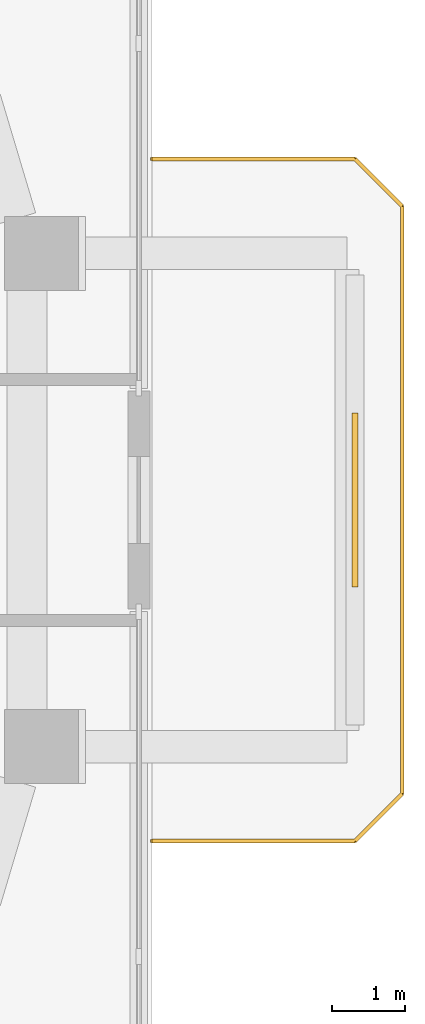
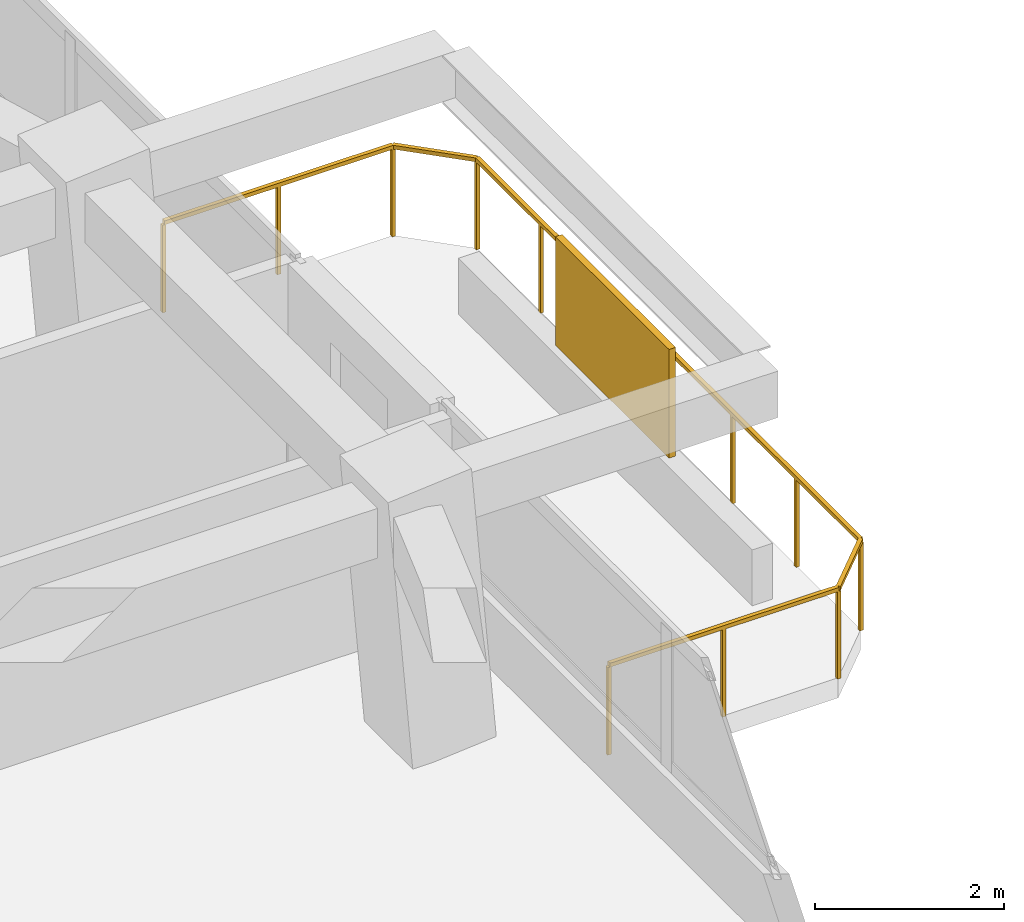
# One storey, part 14 of 14: 1 railing, 1 shading device.
"""IFC4 building model written with IfcOpenShell, lengths in metres."""

from ifc_helpers import new_model, si_unit, derived_unit, direction, frame, origin, origin_2d, place, context, subcontext, project, spatial, rectangle, extrude, material, layer, layer_set, type_object, element, save


model = new_model("IFC4")

# Units and contexts
model_context = context("Model", 3, precision=1e-05, world=origin(), true_north=direction((0.0, 1.0)))
body_context = subcontext(model_context, "Body", "Model", "MODEL_VIEW")
ifc_project = project(units=[si_unit("LENGTHUNIT", "METRE"), si_unit("AREAUNIT", "SQUARE_METRE"), si_unit("VOLUMEUNIT", "CUBIC_METRE"), si_unit("PLANEANGLEUNIT", "RADIAN"), si_unit("MASSUNIT", "GRAM", prefix="KILO"), derived_unit("THERMALTRANSMITTANCEUNIT", [(si_unit("POWERUNIT", "WATT"), 1), (si_unit("LENGTHUNIT", "METRE"), -2), (si_unit("THERMODYNAMICTEMPERATUREUNIT", "KELVIN"), -1)])], contexts=[model_context])

# Site, building, storey
site_placement = place(None, origin())
site = spatial("IfcSite", under=ifc_project, at=site_placement, CompositionType="ELEMENT")
building_placement = place(site_placement, origin())
building = spatial("IfcBuilding", under=site, at=building_placement, Name="Koralith Skygarden Medical Center", CompositionType="ELEMENT")
storey_placement = place(building_placement, frame((0.0, 0.0, 106.3798828125)))
storey = spatial("IfcBuildingStorey", under=building, at=storey_placement, Name="L27", CompositionType="ELEMENT", Elevation=106.3798828125)

# Railing
ifc_material_1 = material(Name="Steel ASTM A500 Grade C", Category="steel")
railing_type = type_object("IfcRailingType", Name="Outdoor Terrace & Balcony Safety Guardrail 1180", PredefinedType="GUARDRAIL", material=ifc_material_1)
railing_placement = place(storey_placement, frame((62.388916015625, 21.199951171875, 0.0)))
element("IfcRailing", 1, at=railing_placement, inside=storey, type_object=railing_type, Name="L27 E Balcony Perimeter Guardrail", PredefinedType="GUARDRAIL", context=body_context, shape_type="SweptSolid", body=[
    extrude(rectangle(XDim=0.050048828125, YDim=0.050048828125, at=origin_2d()), frame((0.001953125, 0.0, 1.15478515625), z_axis=(1.0, 0.0, 0.0), x_axis=(0.0, 1.0, 0.0)), (0.0, 0.0, 1.0), 2.795166015625),
    extrude(rectangle(XDim=0.050048828125, YDim=0.050048828125, at=origin_2d()), frame((2.800537109375, 0.00146484375, 1.15478515625), z_axis=(0.706973978714, 0.707239558722, 0.0), x_axis=(-0.707239558722, 0.706973978714, 0.0)), (0.0, 0.0, 1.0), 0.915283203125),
    extrude(rectangle(XDim=0.050048828125, YDim=0.050048828125, at=origin_2d()), frame((3.448974609375, 0.652099609375, 1.15478515625), z_axis=(0.0, 1.0, 0.0), x_axis=(-1.0, 0.0, 0.0)), (0.0, 0.0, 1.0), 8.095947265625),
    extrude(rectangle(XDim=0.050048828125, YDim=0.050048828125, at=origin_2d()), frame((3.447509765625, 8.75146484375, 1.15478515625), z_axis=(-0.706973978714, 0.707239558722, 0.0), x_axis=(-0.707239558722, -0.706973978714, 0.0)), (0.0, 0.0, 1.0), 0.915283203125),
    extrude(rectangle(XDim=0.050048828125, YDim=0.050048828125, at=origin_2d()), frame((2.797119140625, 9.400146484375, 1.15478515625), z_axis=(-1.0, 0.0, 0.0), x_axis=(0.0, -1.0, 0.0)), (0.0, 0.0, 1.0), 2.795166015625),
    extrude(rectangle(XDim=0.0419921875, YDim=0.0419921875, at=origin_2d()), origin(), (0.0, 0.0, 1.0), 1.1279296875),
    extrude(rectangle(XDim=0.0419921875, YDim=0.0419921875, at=origin_2d()), frame((1.3994140625, 0.0, 0.0)), (0.0, 0.0, 1.0), 1.1279296875),
    extrude(rectangle(XDim=0.0419921875, YDim=0.0419921875, at=origin_2d()), frame((2.799072265625, 0.0, 0.0)), (0.0, 0.0, 1.0), 1.1279296875),
    extrude(rectangle(XDim=0.0419921875, YDim=0.0419921875, at=origin_2d()), frame((3.448974609375, 0.650146484375, 0.0)), (0.0, 0.0, 1.0), 1.1279296875),
    extrude(rectangle(XDim=0.0419921875, YDim=0.0419921875, at=origin_2d()), frame((3.448974609375, 2.0, 0.0)), (0.0, 0.0, 1.0), 1.1279296875),
    extrude(rectangle(XDim=0.0419921875, YDim=0.0419921875, at=origin_2d()), frame((3.448974609375, 3.35009765625, 0.0)), (0.0, 0.0, 1.0), 1.1279296875),
    extrude(rectangle(XDim=0.0419921875, YDim=0.0419921875, at=origin_2d()), frame((3.448974609375, 4.7001953125, 0.0)), (0.0, 0.0, 1.0), 1.1279296875),
    extrude(rectangle(XDim=0.0419921875, YDim=0.0419921875, at=origin_2d()), frame((3.448974609375, 6.050048828125, 0.0)), (0.0, 0.0, 1.0), 1.1279296875),
    extrude(rectangle(XDim=0.0419921875, YDim=0.0419921875, at=origin_2d()), frame((3.448974609375, 7.39990234375, 0.0)), (0.0, 0.0, 1.0), 1.1279296875),
    extrude(rectangle(XDim=0.0419921875, YDim=0.0419921875, at=origin_2d()), frame((3.448974609375, 8.75, 0.0)), (0.0, 0.0, 1.0), 1.1279296875),
    extrude(rectangle(XDim=0.0419921875, YDim=0.0419921875, at=origin_2d()), frame((2.799072265625, 9.400146484375, 0.0)), (0.0, 0.0, 1.0), 1.1279296875),
    extrude(rectangle(XDim=0.0419921875, YDim=0.0419921875, at=origin_2d()), frame((1.3994140625, 9.400146484375, 0.0)), (0.0, 0.0, 1.0), 1.1279296875),
    extrude(rectangle(XDim=0.0419921875, YDim=0.0419921875, at=origin_2d()), frame((0.0, 9.400146484375, 0.0)), (0.0, 0.0, 1.0), 1.1279296875),
])

# Shading device
ifc_material_2 = material(Name="Aluminium 6063-T6", Category="aluminium")
ifc_layer = layer(ifc_material_2, 0.080078125)
ifc_layer_set = layer_set([ifc_layer], Name="Aluminium 6063-T6")
shading_device_type = type_object("IfcShadingDeviceType", Name="Perforated Biophilic Balcony Trellis Screen", PredefinedType="USERDEFINED", material=ifc_layer_set)
shading_device_placement = place(storey_placement, frame((65.18798828125, 25.89990234375, 0.72021484375), z_axis=(0.0, 0.0, 1.0), x_axis=(0.0, 1.0, 0.0)))
element("IfcShadingDevice", 2, at=shading_device_placement, inside=storey, type_object=shading_device_type, Name="L27 E Biophilic Balcony Trellis Screen", ObjectType="HURRICANE SCREEN", PredefinedType="USERDEFINED", context=body_context, shape_type="SweptSolid", body=[
    extrude(rectangle(XDim=2.39990234375, YDim=0.080078125, at=origin_2d()), origin(), (0.0, 0.0, 1.0), 1.39990234375),
])

save(model, "model.ifc")
